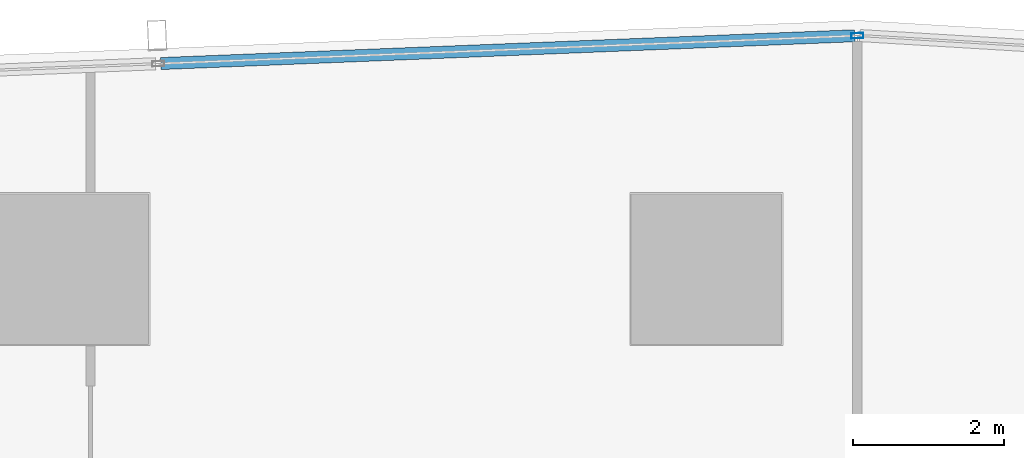
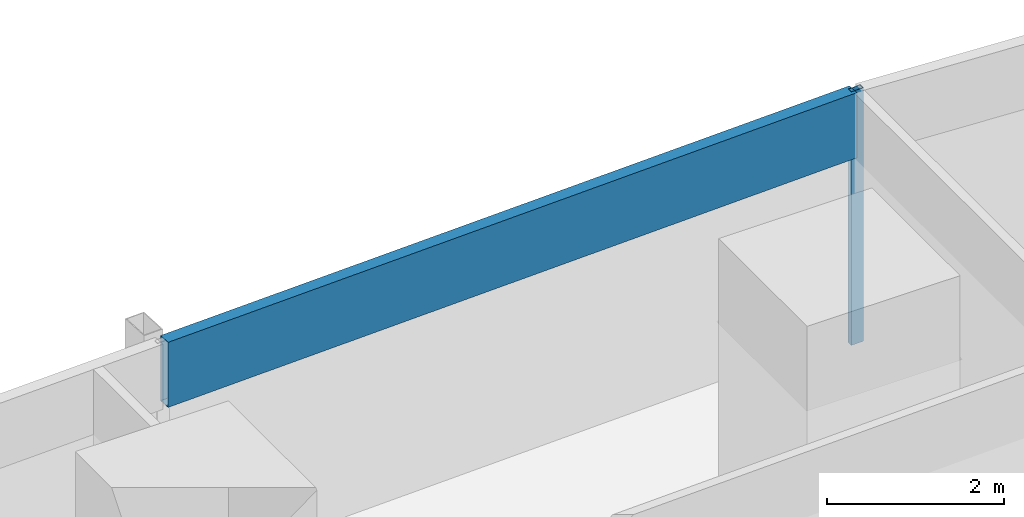
# One storey, part 21 of 39: 2 members, 1 element without a shape of its own.
"""IFC4 building model written with IfcOpenShell, lengths in metres."""

from ifc_helpers import new_model, si_unit, direction, frame, origin, origin_2d, place, context, subcontext, project, spatial, hollow_rectangle, extrude, material, material_profile, profile_set, type_object, element, aggregate, save


model = new_model("IFC4")

# Units and contexts
model_context = context("Model", 3, precision=1e-05, world=origin(), true_north=direction((0.0, 1.0)))
body_context = subcontext(model_context, "Body", "Model", "MODEL_VIEW")
ifc_project = project(units=[si_unit("LENGTHUNIT", "METRE"), si_unit("AREAUNIT", "SQUARE_METRE"), si_unit("VOLUMEUNIT", "CUBIC_METRE"), si_unit("PLANEANGLEUNIT", "RADIAN"), si_unit("MASSUNIT", "GRAM", prefix="KILO")], contexts=[model_context])

# Site, building, storey
site_placement = place(None, origin())
site = spatial("IfcSite", under=ifc_project, at=site_placement, CompositionType="ELEMENT")
building_placement = place(site_placement, origin())
building = spatial("IfcBuilding", under=site, at=building_placement, Name="Rekha Terrace Tower", CompositionType="ELEMENT")
storey_placement = place(building_placement, frame((0.0, 0.0, 147.800048828125)))
storey = spatial("IfcBuildingStorey", under=building, at=storey_placement, Name="L37", CompositionType="ELEMENT", Elevation=147.800048828125)

# Curtain wall, members
ifc_material_1 = material(Name="Aluminium framing", Category="aluminium")
curtain_wall_type = type_object("IfcCurtainWallType", Name="CW3 north unitised glazing", PredefinedType="USERDEFINED", material=ifc_material_1)
curtain_wall_placement = place(storey_placement, origin())
curtain_wall = element("IfcCurtainWall", 1, at=curtain_wall_placement, inside=storey, type_object=curtain_wall_type, Name="CW3 unitised curtain wall", ObjectType="UNITISED CURTAIN WALL", PredefinedType="USERDEFINED")
ifc_material_2 = material(Name="Aluminium mullion section", Category="aluminium")
ifc_material_profile_1 = material_profile(ifc_material_2, hollow_rectangle(XDim=0.070068359375, YDim=0.159912109375, WallThickness=0.00390625, at=origin_2d()), Name="AL RHS 70x160")
ifc_profile_set_1 = profile_set([ifc_material_profile_1], Name="Aluminium mullion section")
member_type_1 = type_object("IfcMemberType", Name="CW3 mullion RHS 70 x 160", PredefinedType="MULLION", material=ifc_profile_set_1)
member_1_placement = place(storey_placement, frame((44.0029296875, 61.8984375, 0.0), z_axis=(0.0, 0.0, 1.0), x_axis=(0.040031987119, -0.999198398721, 0.0)))
member_1 = element("IfcMember", 2, at=member_1_placement, type_object=member_type_1, Name="CW3 mullion 1", PredefinedType="MULLION", context=body_context, shape_type="SweptSolid", body=[
    extrude(hollow_rectangle(XDim=0.070068359375, YDim=0.159912109375, WallThickness=0.00390625, at=origin_2d()), origin(), (0.0, 0.0, 1.0), 3.5),
])
ifc_material_3 = material(Name="Insulated aluminium spandrel box", Category="aluminium")
ifc_material_profile_2 = material_profile(ifc_material_3, hollow_rectangle(XDim=0.159912109375, YDim=0.89990234375, WallThickness=0.0029296875, at=origin_2d()), Name="AL SPANDREL BOX 160x900")
ifc_profile_set_2 = profile_set([ifc_material_profile_2], Name="Insulated aluminium spandrel box")
member_type_2 = type_object("IfcMemberType", Name="CW3 spandrel transom 160 x 900", PredefinedType="USERDEFINED", material=ifc_profile_set_2)
member_2_placement = place(storey_placement, frame((43.968017578125, 61.89697265625, 3.050048828125), z_axis=(-0.999198290018, -0.04003470026, 0.0), x_axis=(0.04003470026, -0.999198290018, 0.0)))
member_2 = element("IfcMember", 3, at=member_2_placement, type_object=member_type_2, Name="CW3 spandrel transom 1", ObjectType="TRANSOM", PredefinedType="USERDEFINED", context=body_context, shape_type="SweptSolid", body=[
    extrude(hollow_rectangle(XDim=0.159912109375, YDim=0.89990234375, WallThickness=0.0029296875, at=origin_2d()), origin(), (0.0, 0.0, 1.0), 9.21435546875),
])
aggregate(curtain_wall, [member_1, member_2])

save(model, "model.ifc")
